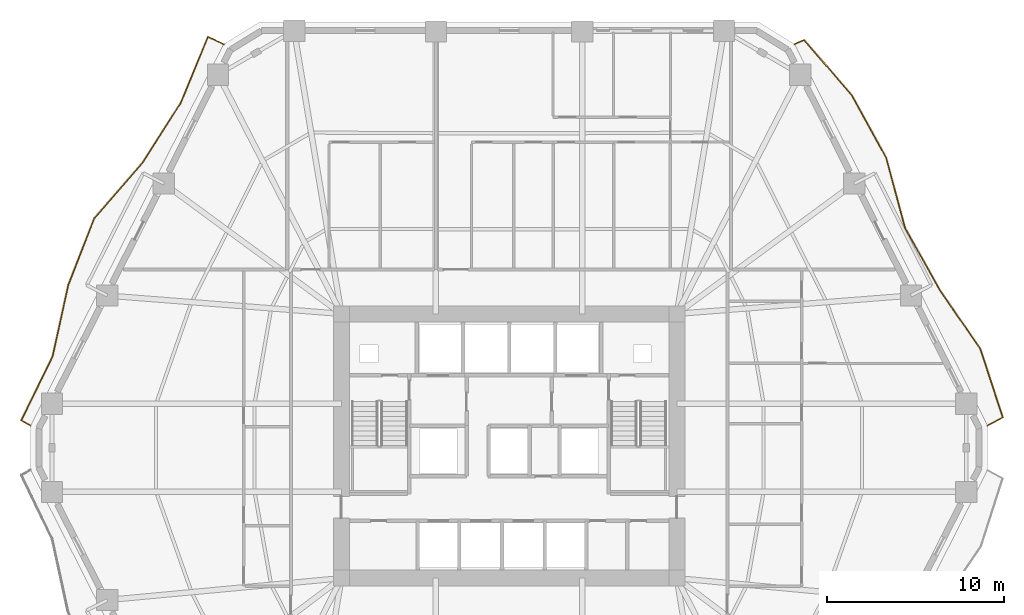
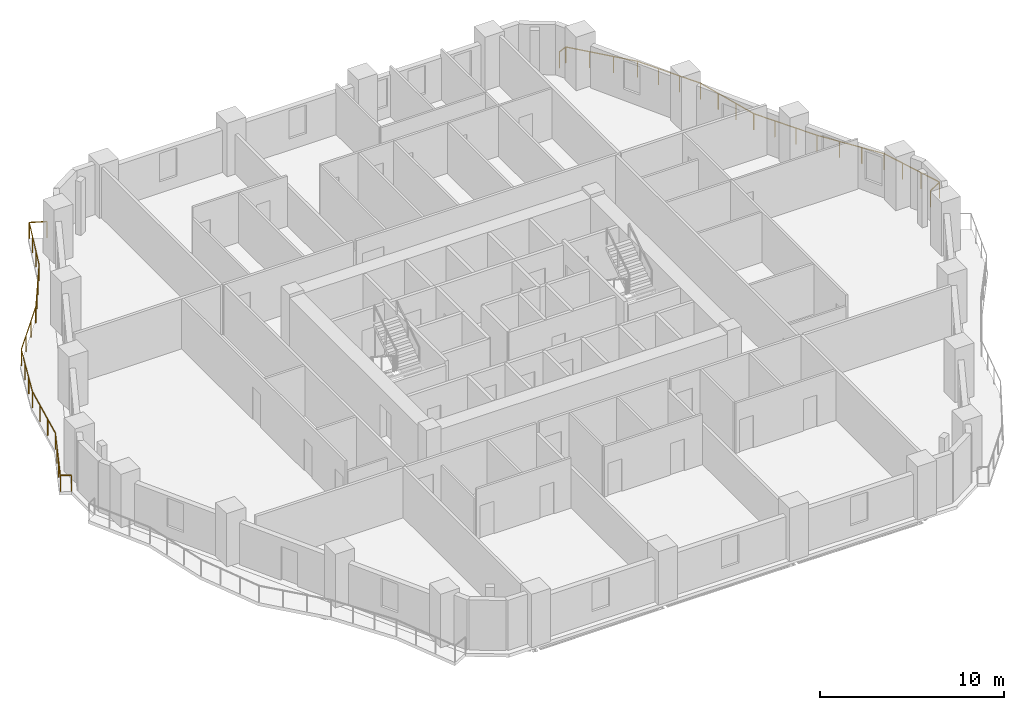
# One storey, part 11 of 11: 2 railings.
"""IFC4 building model written with IfcOpenShell, lengths in metres."""

from ifc_helpers import new_model, si_unit, direction, frame, origin, origin_2d, place, context, subcontext, project, spatial, rectangle, extrude, material, type_object, element, save


model = new_model("IFC4")

# Units and contexts
model_context = context("Model", 3, precision=1e-05, world=origin(), true_north=direction((0.0, 1.0)))
body_context = subcontext(model_context, "Body", "Model", "MODEL_VIEW")
ifc_project = project(units=[si_unit("LENGTHUNIT", "METRE"), si_unit("AREAUNIT", "SQUARE_METRE"), si_unit("VOLUMEUNIT", "CUBIC_METRE"), si_unit("PLANEANGLEUNIT", "RADIAN"), si_unit("MASSUNIT", "GRAM", prefix="KILO")], contexts=[model_context])

# Site, building, storey
site_placement = place(None, origin())
site = spatial("IfcSite", under=ifc_project, at=site_placement, CompositionType="ELEMENT")
building_placement = place(site_placement, origin())
building = spatial("IfcBuilding", under=site, at=building_placement, Name="Cinnabar Lancet Tower", CompositionType="ELEMENT")
storey_placement = place(building_placement, frame((0.0, 0.0, 60.39990234375)))
storey = spatial("IfcBuildingStorey", under=building, at=storey_placement, Name="L15", CompositionType="ELEMENT", Elevation=60.39990234375)

# Railings
ifc_material = material(Name="Laminated safety glass and bronze stainless steel balustrade", Category="steel")
railing_type = type_object("IfcRailingType", Name="ENV-RLG-BAL-1100", PredefinedType="BALUSTRADE", material=ifc_material)
railing_1_placement = place(storey_placement, frame((59.367919921875, 27.049072265625, 0.0)))
element("IfcRailing", 1, at=railing_1_placement, inside=storey, type_object=railing_type, Name="L15 Face 3 Wave Balcony Balustrade", PredefinedType="BALUSTRADE", context=body_context, shape_type="SweptSolid", body=[
    extrude(rectangle(XDim=0.048095703125, YDim=0.048095703125, at=origin_2d()), frame((0.0, 0.0, 1.076171875), z_axis=(0.878739046421, 0.47730251235, 0.0), x_axis=(-0.47730251235, 0.878739046421, 0.0)), (0.0, 0.0, 1.0), 0.971923828125),
    extrude(rectangle(XDim=0.048095703125, YDim=0.048095703125, at=origin_2d()), frame((0.85400390625, 0.4638671875, 1.076171875), z_axis=(-0.311109293751, 0.950374140716, 0.0), x_axis=(-0.950374140716, -0.311109293751, 0.0)), (0.0, 0.0, 1.0), 4.05322265625),
    extrude(rectangle(XDim=0.048095703125, YDim=0.048095703125, at=origin_2d()), frame((-0.406982421875, 4.31591796875, 1.076171875), z_axis=(-0.566682586612, 0.823936190509, 0.0), x_axis=(-0.823936190509, -0.566682586612, 0.0)), (0.0, 0.0, 1.0), 4.04296875),
    extrude(rectangle(XDim=0.048095703125, YDim=0.048095703125, at=origin_2d()), frame((-2.697998046875, 7.64697265625, 1.076171875), z_axis=(-0.488015223539, 0.872835117072, 0.0), x_axis=(-0.872835117072, -0.488015223539, 0.0)), (0.0, 0.0, 1.0), 4.007568359375),
    extrude(rectangle(XDim=0.048095703125, YDim=0.048095703125, at=origin_2d()), frame((-4.65380859375, 11.14501953125, 1.076171875), z_axis=(-0.25980445617, 0.965661247309, 0.0), x_axis=(-0.965661247309, -0.25980445617, 0.0)), (0.0, 0.0, 1.0), 4.092529296875),
    extrude(rectangle(XDim=0.048095703125, YDim=0.048095703125, at=origin_2d()), frame((-5.717041015625, 15.096923828125, 1.076171875), z_axis=(-0.481397350995, 0.876502476012, 0.0), x_axis=(-0.876502476012, -0.481397350995, 0.0)), (0.0, 0.0, 1.0), 4.009033203125),
    extrude(rectangle(XDim=0.048095703125, YDim=0.048095703125, at=origin_2d()), frame((-7.64697265625, 18.61083984375, 1.076171875), z_axis=(-0.6536352639, 0.756809713063, 0.0), x_axis=(-0.756809713063, -0.6536352639, 0.0)), (0.0, 0.0, 1.0), 4.129150390625),
    extrude(rectangle(XDim=0.048095703125, YDim=0.048095703125, at=origin_2d()), frame((-10.345947265625, 21.73583984375, 1.076171875), z_axis=(-0.915974603767, -0.401236246186, 0.0), x_axis=(0.401236246186, -0.915974603767, 0.0)), (0.0, 0.0, 1.0), 0.5830078125),
    extrude(rectangle(XDim=0.0419921875, YDim=0.0419921875, at=origin_2d()), origin(), (0.0, 0.0, 1.0), 1.052001953125),
    extrude(rectangle(XDim=0.0419921875, YDim=0.0419921875, at=origin_2d()), frame((0.85400390625, 0.4638671875, 0.0)), (0.0, 0.0, 1.0), 1.052001953125),
    extrude(rectangle(XDim=0.0419921875, YDim=0.0419921875, at=origin_2d()), frame((0.43359375, 1.747802734375, 0.0)), (0.0, 0.0, 1.0), 1.052001953125),
    extrude(rectangle(XDim=0.0419921875, YDim=0.0419921875, at=origin_2d()), frame((0.013427734375, 3.031982421875, 0.0)), (0.0, 0.0, 1.0), 1.052001953125),
    extrude(rectangle(XDim=0.0419921875, YDim=0.0419921875, at=origin_2d()), frame((-0.406982421875, 4.31591796875, 0.0)), (0.0, 0.0, 1.0), 1.052001953125),
    extrude(rectangle(XDim=0.0419921875, YDim=0.0419921875, at=origin_2d()), frame((-1.170654296875, 5.42626953125, 0.0)), (0.0, 0.0, 1.0), 1.052001953125),
    extrude(rectangle(XDim=0.0419921875, YDim=0.0419921875, at=origin_2d()), frame((-1.934326171875, 6.53662109375, 0.0)), (0.0, 0.0, 1.0), 1.052001953125),
    extrude(rectangle(XDim=0.0419921875, YDim=0.0419921875, at=origin_2d()), frame((-2.697998046875, 7.64697265625, 0.0)), (0.0, 0.0, 1.0), 1.052001953125),
    extrude(rectangle(XDim=0.0419921875, YDim=0.0419921875, at=origin_2d()), frame((-3.349853515625, 8.81298828125, 0.0)), (0.0, 0.0, 1.0), 1.052001953125),
    extrude(rectangle(XDim=0.0419921875, YDim=0.0419921875, at=origin_2d()), frame((-4.001953125, 9.97900390625, 0.0)), (0.0, 0.0, 1.0), 1.052001953125),
    extrude(rectangle(XDim=0.0419921875, YDim=0.0419921875, at=origin_2d()), frame((-4.65380859375, 11.14501953125, 0.0)), (0.0, 0.0, 1.0), 1.052001953125),
    extrude(rectangle(XDim=0.0419921875, YDim=0.0419921875, at=origin_2d()), frame((-5.00830078125, 12.46240234375, 0.0)), (0.0, 0.0, 1.0), 1.052001953125),
    extrude(rectangle(XDim=0.0419921875, YDim=0.0419921875, at=origin_2d()), frame((-5.362548828125, 13.779541015625, 0.0)), (0.0, 0.0, 1.0), 1.052001953125),
    extrude(rectangle(XDim=0.0419921875, YDim=0.0419921875, at=origin_2d()), frame((-5.717041015625, 15.096923828125, 0.0)), (0.0, 0.0, 1.0), 1.052001953125),
    extrude(rectangle(XDim=0.0419921875, YDim=0.0419921875, at=origin_2d()), frame((-6.3603515625, 16.268310546875, 0.0)), (0.0, 0.0, 1.0), 1.052001953125),
    extrude(rectangle(XDim=0.0419921875, YDim=0.0419921875, at=origin_2d()), frame((-7.003662109375, 17.439453125, 0.0)), (0.0, 0.0, 1.0), 1.052001953125),
    extrude(rectangle(XDim=0.0419921875, YDim=0.0419921875, at=origin_2d()), frame((-7.64697265625, 18.61083984375, 0.0)), (0.0, 0.0, 1.0), 1.052001953125),
    extrude(rectangle(XDim=0.0419921875, YDim=0.0419921875, at=origin_2d()), frame((-8.546630859375, 19.652587890625, 0.0)), (0.0, 0.0, 1.0), 1.052001953125),
    extrude(rectangle(XDim=0.0419921875, YDim=0.0419921875, at=origin_2d()), frame((-9.4462890625, 20.694091796875, 0.0)), (0.0, 0.0, 1.0), 1.052001953125),
    extrude(rectangle(XDim=0.0419921875, YDim=0.0419921875, at=origin_2d()), frame((-10.345947265625, 21.73583984375, 0.0)), (0.0, 0.0, 1.0), 1.052001953125),
    extrude(rectangle(XDim=0.0419921875, YDim=0.0419921875, at=origin_2d()), frame((-10.8798828125, 21.501953125, 0.0)), (0.0, 0.0, 1.0), 1.052001953125),
])
railing_2_placement = place(storey_placement, frame((16.31201171875, 48.551025390625, 0.0)))
element("IfcRailing", 2, at=railing_2_placement, inside=storey, type_object=railing_type, Name="L15 Face 5 Wave Balcony Balustrade", PredefinedType="BALUSTRADE", context=body_context, shape_type="SweptSolid", body=[
    extrude(rectangle(XDim=0.048095703125, YDim=0.048095703125, at=origin_2d()), frame((0.0, 0.0, 1.076171875), z_axis=(-0.906272735723, 0.422693421389, 0.0), x_axis=(-0.422693421389, -0.906272735723, 0.0)), (0.0, 0.0, 1.0), 0.974365234375),
    extrude(rectangle(XDim=0.048095703125, YDim=0.048095703125, at=origin_2d()), frame((-0.883056640625, 0.411865234375, 1.076171875), z_axis=(-0.380991038419, -0.924578730366, 0.0), x_axis=(0.924578730366, -0.380991038419, 0.0)), (0.0, 0.0, 1.0), 4.02099609375),
    extrude(rectangle(XDim=0.048095703125, YDim=0.048095703125, at=origin_2d()), frame((-2.4150390625, -3.305908203125, 1.076171875), z_axis=(-0.537793399826, -0.843076662649, 0.0), x_axis=(0.843076662649, -0.537793399826, 0.0)), (0.0, 0.0, 1.0), 4.02587890625),
    extrude(rectangle(XDim=0.048095703125, YDim=0.048095703125, at=origin_2d()), frame((-4.580078125, -6.699951171875, 1.076171875), z_axis=(-0.655973855965, -0.754783611567, 0.0), x_axis=(0.754783611567, -0.655973855965, 0.0)), (0.0, 0.0, 1.0), 4.131103515625),
    extrude(rectangle(XDim=0.048095703125, YDim=0.048095703125, at=origin_2d()), frame((-7.2900390625, -9.818115234375, 1.076171875), z_axis=(-0.363614414816, -0.931549546368, 0.0), x_axis=(0.931549546368, -0.363614414816, 0.0)), (0.0, 0.0, 1.0), 4.023193359375),
    extrude(rectangle(XDim=0.048095703125, YDim=0.048095703125, at=origin_2d()), frame((-8.7529296875, -13.56591796875, 1.076171875), z_axis=(-0.214942844162, -0.976626629651, 0.0), x_axis=(0.976626629651, -0.214942844162, 0.0)), (0.0, 0.0, 1.0), 4.13671875),
    extrude(rectangle(XDim=0.048095703125, YDim=0.048095703125, at=origin_2d()), frame((-9.64208984375, -17.60595703125, 1.076171875), z_axis=(-0.440574129415, -0.897716233834, 0.0), x_axis=(0.897716233834, -0.440574129415, 0.0)), (0.0, 0.0, 1.0), 4.008056640625),
    extrude(rectangle(XDim=0.048095703125, YDim=0.048095703125, at=origin_2d()), frame((-11.407958984375, -21.2041015625, 1.076171875), z_axis=(0.870907738314, -0.491446549835, 0.0), x_axis=(0.491446549835, 0.870907738314, 0.0)), (0.0, 0.0, 1.0), 0.60595703125),
    extrude(rectangle(XDim=0.0419921875, YDim=0.0419921875, at=origin_2d()), origin(), (0.0, 0.0, 1.0), 1.052001953125),
    extrude(rectangle(XDim=0.0419921875, YDim=0.0419921875, at=origin_2d()), frame((-0.883056640625, 0.411865234375, 0.0)), (0.0, 0.0, 1.0), 1.052001953125),
    extrude(rectangle(XDim=0.0419921875, YDim=0.0419921875, at=origin_2d()), frame((-1.393798828125, -0.827392578125, 0.0)), (0.0, 0.0, 1.0), 1.052001953125),
    extrude(rectangle(XDim=0.0419921875, YDim=0.0419921875, at=origin_2d()), frame((-1.904296875, -2.066650390625, 0.0)), (0.0, 0.0, 1.0), 1.052001953125),
    extrude(rectangle(XDim=0.0419921875, YDim=0.0419921875, at=origin_2d()), frame((-2.4150390625, -3.305908203125, 0.0)), (0.0, 0.0, 1.0), 1.052001953125),
    extrude(rectangle(XDim=0.0419921875, YDim=0.0419921875, at=origin_2d()), frame((-3.13671875, -4.437255859375, 0.0)), (0.0, 0.0, 1.0), 1.052001953125),
    extrude(rectangle(XDim=0.0419921875, YDim=0.0419921875, at=origin_2d()), frame((-3.8583984375, -5.568603515625, 0.0)), (0.0, 0.0, 1.0), 1.052001953125),
    extrude(rectangle(XDim=0.0419921875, YDim=0.0419921875, at=origin_2d()), frame((-4.580078125, -6.699951171875, 0.0)), (0.0, 0.0, 1.0), 1.052001953125),
    extrude(rectangle(XDim=0.0419921875, YDim=0.0419921875, at=origin_2d()), frame((-5.4833984375, -7.7392578125, 0.0)), (0.0, 0.0, 1.0), 1.052001953125),
    extrude(rectangle(XDim=0.0419921875, YDim=0.0419921875, at=origin_2d()), frame((-6.38671875, -8.77880859375, 0.0)), (0.0, 0.0, 1.0), 1.052001953125),
    extrude(rectangle(XDim=0.0419921875, YDim=0.0419921875, at=origin_2d()), frame((-7.2900390625, -9.818115234375, 0.0)), (0.0, 0.0, 1.0), 1.052001953125),
    extrude(rectangle(XDim=0.0419921875, YDim=0.0419921875, at=origin_2d()), frame((-7.777587890625, -11.0673828125, 0.0)), (0.0, 0.0, 1.0), 1.052001953125),
    extrude(rectangle(XDim=0.0419921875, YDim=0.0419921875, at=origin_2d()), frame((-8.265380859375, -12.316650390625, 0.0)), (0.0, 0.0, 1.0), 1.052001953125),
    extrude(rectangle(XDim=0.0419921875, YDim=0.0419921875, at=origin_2d()), frame((-8.7529296875, -13.56591796875, 0.0)), (0.0, 0.0, 1.0), 1.052001953125),
    extrude(rectangle(XDim=0.0419921875, YDim=0.0419921875, at=origin_2d()), frame((-9.04931640625, -14.91259765625, 0.0)), (0.0, 0.0, 1.0), 1.052001953125),
    extrude(rectangle(XDim=0.0419921875, YDim=0.0419921875, at=origin_2d()), frame((-9.345703125, -16.25927734375, 0.0)), (0.0, 0.0, 1.0), 1.052001953125),
    extrude(rectangle(XDim=0.0419921875, YDim=0.0419921875, at=origin_2d()), frame((-9.64208984375, -17.60595703125, 0.0)), (0.0, 0.0, 1.0), 1.052001953125),
    extrude(rectangle(XDim=0.0419921875, YDim=0.0419921875, at=origin_2d()), frame((-10.230712890625, -18.805419921875, 0.0)), (0.0, 0.0, 1.0), 1.052001953125),
    extrude(rectangle(XDim=0.0419921875, YDim=0.0419921875, at=origin_2d()), frame((-10.8193359375, -20.004638671875, 0.0)), (0.0, 0.0, 1.0), 1.052001953125),
    extrude(rectangle(XDim=0.0419921875, YDim=0.0419921875, at=origin_2d()), frame((-11.407958984375, -21.2041015625, 0.0)), (0.0, 0.0, 1.0), 1.052001953125),
    extrude(rectangle(XDim=0.0419921875, YDim=0.0419921875, at=origin_2d()), frame((-10.880126953125, -21.501953125, 0.0)), (0.0, 0.0, 1.0), 1.052001953125),
])

save(model, "model.ifc")
